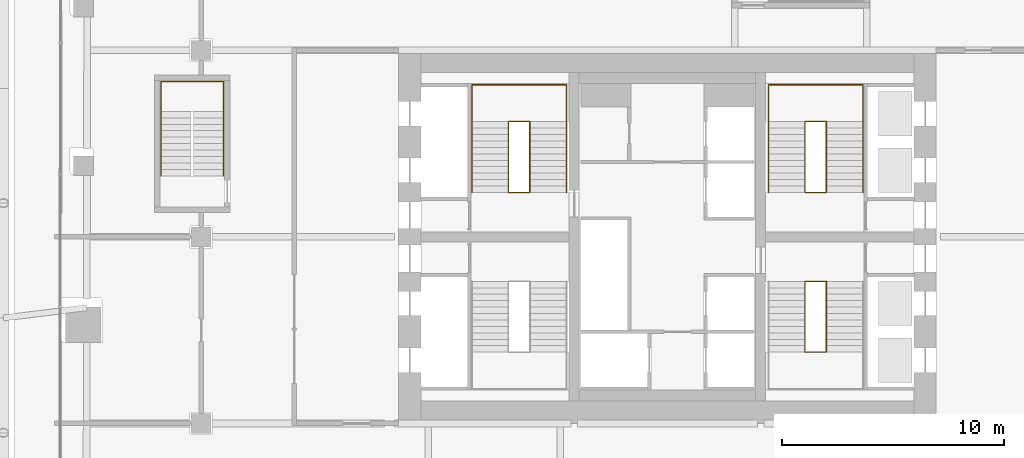
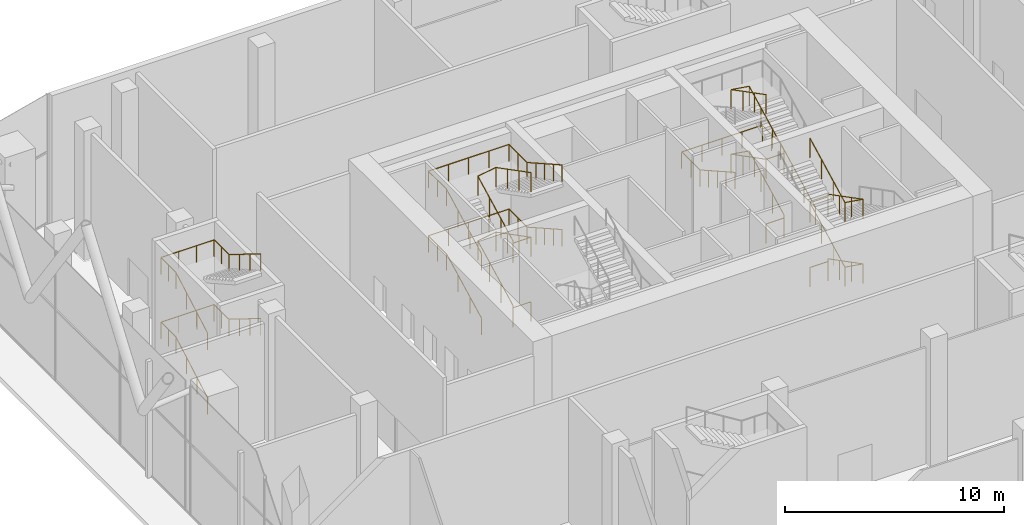
# One storey, part 32 of 34: 11 railings.
"""IFC4 building model written with IfcOpenShell, lengths in metres."""

from ifc_helpers import new_model, si_unit, direction, frame, origin, origin_2d, place, context, subcontext, project, spatial, circle, extrude, material, type_object, element, save


model = new_model("IFC4")

# Units and contexts
model_context = context("Model", 3, precision=1e-05, world=origin(), true_north=direction((0.0, 1.0)))
body_context = subcontext(model_context, "Body", "Model", "MODEL_VIEW")
ifc_project = project(units=[si_unit("LENGTHUNIT", "METRE"), si_unit("AREAUNIT", "SQUARE_METRE"), si_unit("VOLUMEUNIT", "CUBIC_METRE"), si_unit("PLANEANGLEUNIT", "RADIAN"), si_unit("MASSUNIT", "GRAM", prefix="KILO")], contexts=[model_context])

# Site, building, storey
site_placement = place(None, origin())
site = spatial("IfcSite", under=ifc_project, at=site_placement, CompositionType="ELEMENT")
building_placement = place(site_placement, origin())
building = spatial("IfcBuilding", under=site, at=building_placement, Name="Marenta Gate Hotel Tower", CompositionType="ELEMENT")
storey_placement = place(building_placement, frame((0.0, 0.0, 97.699951171875)))
storey = spatial("IfcBuildingStorey", under=building, at=storey_placement, Name="L21", CompositionType="ELEMENT", Elevation=97.699951171875)

# Railings
ifc_material_1 = material(Name="Stainless steel", Category="steel")
railing_type_1 = type_object("IfcRailingType", Name="Core stair handrail 950", PredefinedType="HANDRAIL", material=ifc_material_1)
railing_1_placement = place(storey_placement, frame((-8.800048828125, 10.39990234375, 0.150146484375)))
element("IfcRailing", 1, at=railing_1_placement, inside=storey, type_object=railing_type_1, Name="HR-950 L21-KR-ST2-1", PredefinedType="HANDRAIL", context=body_context, shape_type="SweptSolid", body=[
    extrude(circle(Radius=0.02392578125, at=origin_2d()), frame((0.0, 0.0, 0.92578125), z_axis=(0.0, 0.888239641807, 0.459380385653), x_axis=(-1.0, 0.0, 0.0)), (0.0, 0.0, 1.0), 3.591552734375),
    extrude(circle(Radius=0.02392578125, at=origin_2d()), frame((0.0, 3.190185546875, 2.57568359375), z_axis=(0.0, 1.0, 0.0), x_axis=(-1.0, 0.0, 0.0)), (0.0, 0.0, 1.0), 1.659912109375),
    extrude(circle(Radius=0.02392578125, at=origin_2d()), frame((0.0, 4.85009765625, 2.57568359375), z_axis=(1.0, 0.0, 0.0), x_axis=(0.0, 1.0, 0.0)), (0.0, 0.0, 1.0), 4.25),
    extrude(circle(Radius=0.02392578125, at=origin_2d()), frame((4.25, 4.85009765625, 2.57568359375), z_axis=(0.0, -1.0, 0.0), x_axis=(1.0, 0.0, 0.0)), (0.0, 0.0, 1.0), 1.659912109375),
    extrude(circle(Radius=0.02392578125, at=origin_2d()), frame((4.25, 3.190185546875, 2.57568359375), z_axis=(0.0, -0.870925075533, 0.491415824742), x_axis=(1.0, 0.0, 0.0)), (0.0, 0.0, 1.0), 3.6630859375),
    extrude(circle(Radius=0.02099609375, at=origin_2d()), origin(), (0.0, 0.0, 1.0), 0.90185546875),
    extrude(circle(Radius=0.02099609375, at=origin_2d()), frame((0.0, 1.0634765625, 0.550048828125)), (0.0, 0.0, 1.0), 0.90185546875),
    extrude(circle(Radius=0.02099609375, at=origin_2d()), frame((0.0, 2.126708984375, 1.099853515625)), (0.0, 0.0, 1.0), 0.90185546875),
    extrude(circle(Radius=0.02099609375, at=origin_2d()), frame((0.0, 3.190185546875, 1.64990234375)), (0.0, 0.0, 1.0), 0.90185546875),
    extrude(circle(Radius=0.02099609375, at=origin_2d()), frame((0.0, 4.02001953125, 1.64990234375)), (0.0, 0.0, 1.0), 0.90185546875),
    extrude(circle(Radius=0.02099609375, at=origin_2d()), frame((0.0, 4.85009765625, 1.64990234375)), (0.0, 0.0, 1.0), 0.90185546875),
    extrude(circle(Radius=0.02099609375, at=origin_2d()), frame((1.0625, 4.85009765625, 1.64990234375)), (0.0, 0.0, 1.0), 0.90185546875),
    extrude(circle(Radius=0.02099609375, at=origin_2d()), frame((2.125, 4.85009765625, 1.64990234375)), (0.0, 0.0, 1.0), 0.90185546875),
    extrude(circle(Radius=0.02099609375, at=origin_2d()), frame((3.1875, 4.85009765625, 1.64990234375)), (0.0, 0.0, 1.0), 0.90185546875),
    extrude(circle(Radius=0.02099609375, at=origin_2d()), frame((4.25, 4.85009765625, 1.64990234375)), (0.0, 0.0, 1.0), 0.90185546875),
    extrude(circle(Radius=0.02099609375, at=origin_2d()), frame((4.25, 4.02001953125, 1.64990234375)), (0.0, 0.0, 1.0), 0.90185546875),
    extrude(circle(Radius=0.02099609375, at=origin_2d()), frame((4.25, 3.190185546875, 1.64990234375)), (0.0, 0.0, 1.0), 0.90185546875),
    extrude(circle(Radius=0.02099609375, at=origin_2d()), frame((4.25, 2.392578125, 2.099853515625)), (0.0, 0.0, 1.0), 0.90185546875),
    extrude(circle(Radius=0.02099609375, at=origin_2d()), frame((4.25, 1.59521484375, 2.5498046875)), (0.0, 0.0, 1.0), 0.90185546875),
    extrude(circle(Radius=0.02099609375, at=origin_2d()), frame((4.25, 0.797607421875, 3.0)), (0.0, 0.0, 1.0), 0.90185546875),
    extrude(circle(Radius=0.02099609375, at=origin_2d()), frame((4.25, 0.0, 3.449951171875)), (0.0, 0.0, 1.0), 0.90185546875),
])
railing_2_placement = place(storey_placement, frame((-8.800048828125, 10.39990234375, 3.75)))
element("IfcRailing", 2, at=railing_2_placement, inside=storey, type_object=railing_type_1, Name="HR-950 L21-KR-ST2-3", PredefinedType="HANDRAIL", context=body_context, shape_type="SweptSolid", body=[
    extrude(circle(Radius=0.02392578125, at=origin_2d()), frame((0.0, 0.0, 0.92578125), z_axis=(0.0, 0.888211904222, 0.459434013977), x_axis=(-1.0, 0.0, 0.0)), (0.0, 0.0, 1.0), 3.591796875),
    extrude(circle(Radius=0.02392578125, at=origin_2d()), frame((0.0, 3.190185546875, 2.576171875), z_axis=(0.0, 1.0, 0.0), x_axis=(-1.0, 0.0, 0.0)), (0.0, 0.0, 1.0), 1.659912109375),
    extrude(circle(Radius=0.02392578125, at=origin_2d()), frame((0.0, 4.85009765625, 2.576171875), z_axis=(1.0, 0.0, 0.0), x_axis=(0.0, 1.0, 0.0)), (0.0, 0.0, 1.0), 4.25),
    extrude(circle(Radius=0.02392578125, at=origin_2d()), frame((4.25, 4.85009765625, 2.576171875), z_axis=(0.0, -1.0, 0.0), x_axis=(1.0, 0.0, 0.0)), (0.0, 0.0, 1.0), 1.659912109375),
    extrude(circle(Radius=0.02392578125, at=origin_2d()), frame((4.25, 3.190185546875, 2.576171875), z_axis=(0.0, -0.870953600603, 0.491365266982), x_axis=(1.0, 0.0, 0.0)), (0.0, 0.0, 1.0), 3.662841796875),
    extrude(circle(Radius=0.02099609375, at=origin_2d()), origin(), (0.0, 0.0, 1.0), 0.90185546875),
    extrude(circle(Radius=0.02099609375, at=origin_2d()), frame((0.0, 1.0634765625, 0.550048828125)), (0.0, 0.0, 1.0), 0.90185546875),
    extrude(circle(Radius=0.02099609375, at=origin_2d()), frame((0.0, 2.126708984375, 1.10009765625)), (0.0, 0.0, 1.0), 0.90185546875),
    extrude(circle(Radius=0.02099609375, at=origin_2d()), frame((0.0, 3.190185546875, 1.650146484375)), (0.0, 0.0, 1.0), 0.90185546875),
    extrude(circle(Radius=0.02099609375, at=origin_2d()), frame((0.0, 4.02001953125, 1.650146484375)), (0.0, 0.0, 1.0), 0.90185546875),
    extrude(circle(Radius=0.02099609375, at=origin_2d()), frame((0.0, 4.85009765625, 1.650146484375)), (0.0, 0.0, 1.0), 0.90185546875),
    extrude(circle(Radius=0.02099609375, at=origin_2d()), frame((1.0625, 4.85009765625, 1.650146484375)), (0.0, 0.0, 1.0), 0.90185546875),
    extrude(circle(Radius=0.02099609375, at=origin_2d()), frame((2.125, 4.85009765625, 1.650146484375)), (0.0, 0.0, 1.0), 0.90185546875),
    extrude(circle(Radius=0.02099609375, at=origin_2d()), frame((3.1875, 4.85009765625, 1.650146484375)), (0.0, 0.0, 1.0), 0.90185546875),
    extrude(circle(Radius=0.02099609375, at=origin_2d()), frame((4.25, 4.85009765625, 1.650146484375)), (0.0, 0.0, 1.0), 0.90185546875),
    extrude(circle(Radius=0.02099609375, at=origin_2d()), frame((4.25, 4.02001953125, 1.650146484375)), (0.0, 0.0, 1.0), 0.90185546875),
    extrude(circle(Radius=0.02099609375, at=origin_2d()), frame((4.25, 3.190185546875, 1.650146484375)), (0.0, 0.0, 1.0), 0.90185546875),
    extrude(circle(Radius=0.02099609375, at=origin_2d()), frame((4.25, 2.392578125, 2.10009765625)), (0.0, 0.0, 1.0), 0.90185546875),
    extrude(circle(Radius=0.02099609375, at=origin_2d()), frame((4.25, 1.59521484375, 2.550048828125)), (0.0, 0.0, 1.0), 0.90185546875),
    extrude(circle(Radius=0.02099609375, at=origin_2d()), frame((4.25, 0.797607421875, 3.0)), (0.0, 0.0, 1.0), 0.90185546875),
    extrude(circle(Radius=0.02099609375, at=origin_2d()), frame((4.25, 0.0, 3.449951171875)), (0.0, 0.0, 1.0), 0.90185546875),
])
railing_3_placement = place(storey_placement, frame((8.800048828125, 10.39990234375, 0.150146484375)))
element("IfcRailing", 3, at=railing_3_placement, inside=storey, type_object=railing_type_1, Name="HR-950 L21-KR-ST4-1", PredefinedType="HANDRAIL", context=body_context, shape_type="SweptSolid", body=[
    extrude(circle(Radius=0.02392578125, at=origin_2d()), frame((0.0, 0.0, 0.92578125), z_axis=(0.0, 0.888239641807, 0.459380385653), x_axis=(-1.0, 0.0, 0.0)), (0.0, 0.0, 1.0), 3.591552734375),
    extrude(circle(Radius=0.02392578125, at=origin_2d()), frame((0.0, 3.190185546875, 2.57568359375), z_axis=(0.0, 1.0, 0.0), x_axis=(-1.0, 0.0, 0.0)), (0.0, 0.0, 1.0), 1.659912109375),
    extrude(circle(Radius=0.02392578125, at=origin_2d()), frame((0.0, 4.85009765625, 2.57568359375), z_axis=(-1.0, 0.0, 0.0), x_axis=(0.0, -1.0, 0.0)), (0.0, 0.0, 1.0), 4.25),
    extrude(circle(Radius=0.02392578125, at=origin_2d()), frame((-4.25, 4.85009765625, 2.57568359375), z_axis=(0.0, -1.0, 0.0), x_axis=(1.0, 0.0, 0.0)), (0.0, 0.0, 1.0), 1.659912109375),
    extrude(circle(Radius=0.02392578125, at=origin_2d()), frame((-4.25, 3.190185546875, 2.57568359375), z_axis=(0.0, -0.870925075533, 0.491415824742), x_axis=(1.0, 0.0, 0.0)), (0.0, 0.0, 1.0), 3.6630859375),
    extrude(circle(Radius=0.02099609375, at=origin_2d()), origin(), (0.0, 0.0, 1.0), 0.90185546875),
    extrude(circle(Radius=0.02099609375, at=origin_2d()), frame((0.0, 1.0634765625, 0.550048828125)), (0.0, 0.0, 1.0), 0.90185546875),
    extrude(circle(Radius=0.02099609375, at=origin_2d()), frame((0.0, 2.126708984375, 1.099853515625)), (0.0, 0.0, 1.0), 0.90185546875),
    extrude(circle(Radius=0.02099609375, at=origin_2d()), frame((0.0, 3.190185546875, 1.64990234375)), (0.0, 0.0, 1.0), 0.90185546875),
    extrude(circle(Radius=0.02099609375, at=origin_2d()), frame((0.0, 4.02001953125, 1.64990234375)), (0.0, 0.0, 1.0), 0.90185546875),
    extrude(circle(Radius=0.02099609375, at=origin_2d()), frame((0.0, 4.85009765625, 1.64990234375)), (0.0, 0.0, 1.0), 0.90185546875),
    extrude(circle(Radius=0.02099609375, at=origin_2d()), frame((-1.0625, 4.85009765625, 1.64990234375)), (0.0, 0.0, 1.0), 0.90185546875),
    extrude(circle(Radius=0.02099609375, at=origin_2d()), frame((-2.125, 4.85009765625, 1.64990234375)), (0.0, 0.0, 1.0), 0.90185546875),
    extrude(circle(Radius=0.02099609375, at=origin_2d()), frame((-3.1875, 4.85009765625, 1.64990234375)), (0.0, 0.0, 1.0), 0.90185546875),
    extrude(circle(Radius=0.02099609375, at=origin_2d()), frame((-4.25, 4.85009765625, 1.64990234375)), (0.0, 0.0, 1.0), 0.90185546875),
    extrude(circle(Radius=0.02099609375, at=origin_2d()), frame((-4.25, 4.02001953125, 1.64990234375)), (0.0, 0.0, 1.0), 0.90185546875),
    extrude(circle(Radius=0.02099609375, at=origin_2d()), frame((-4.25, 3.190185546875, 1.64990234375)), (0.0, 0.0, 1.0), 0.90185546875),
    extrude(circle(Radius=0.02099609375, at=origin_2d()), frame((-4.25, 2.392578125, 2.099853515625)), (0.0, 0.0, 1.0), 0.90185546875),
    extrude(circle(Radius=0.02099609375, at=origin_2d()), frame((-4.25, 1.59521484375, 2.5498046875)), (0.0, 0.0, 1.0), 0.90185546875),
    extrude(circle(Radius=0.02099609375, at=origin_2d()), frame((-4.25, 0.797607421875, 3.0)), (0.0, 0.0, 1.0), 0.90185546875),
    extrude(circle(Radius=0.02099609375, at=origin_2d()), frame((-4.25, 0.0, 3.449951171875)), (0.0, 0.0, 1.0), 0.90185546875),
])
railing_4_placement = place(storey_placement, frame((-22.800048828125, 11.14990234375, 0.16357421875)))
element("IfcRailing", 4, at=railing_4_placement, inside=storey, type_object=railing_type_1, Name="HR-950 L21-RS-Z1-3-KR-1", PredefinedType="HANDRAIL", context=body_context, shape_type="SweptSolid", body=[
    extrude(circle(Radius=0.02392578125, at=origin_2d()), frame((0.0, 0.0, 0.92578125), z_axis=(0.0, 0.870914908162, 0.491433843708), x_axis=(-1.0, 0.0, 0.0)), (0.0, 0.0, 1.0), 3.330078125),
    extrude(circle(Radius=0.02392578125, at=origin_2d()), frame((0.0, 2.900146484375, 2.5625), z_axis=(0.0, 1.0, 0.0), x_axis=(-1.0, 0.0, 0.0)), (0.0, 0.0, 1.0), 1.349853515625),
    extrude(circle(Radius=0.02392578125, at=origin_2d()), frame((0.0, 4.25, 2.5625), z_axis=(1.0, 0.0, 0.0), x_axis=(0.0, 1.0, 0.0)), (0.0, 0.0, 1.0), 2.800048828125),
    extrude(circle(Radius=0.02392578125, at=origin_2d()), frame((2.800048828125, 4.25, 2.5625), z_axis=(0.0, -1.0, 0.0), x_axis=(1.0, 0.0, 0.0)), (0.0, 0.0, 1.0), 1.349853515625),
    extrude(circle(Radius=0.02392578125, at=origin_2d()), frame((2.800048828125, 2.900146484375, 2.5625), z_axis=(0.0, -0.849645691689, 0.527353959494), x_axis=(1.0, 0.0, 0.0)), (0.0, 0.0, 1.0), 3.413330078125),
    extrude(circle(Radius=0.02099609375, at=origin_2d()), origin(), (0.0, 0.0, 1.0), 0.90185546875),
    extrude(circle(Radius=0.02099609375, at=origin_2d()), frame((0.0, 0.966796875, 0.54541015625)), (0.0, 0.0, 1.0), 0.90185546875),
    extrude(circle(Radius=0.02099609375, at=origin_2d()), frame((0.0, 1.933349609375, 1.091064453125)), (0.0, 0.0, 1.0), 0.90185546875),
    extrude(circle(Radius=0.02099609375, at=origin_2d()), frame((0.0, 2.900146484375, 1.636474609375)), (0.0, 0.0, 1.0), 0.90185546875),
    extrude(circle(Radius=0.02099609375, at=origin_2d()), frame((0.0, 3.5751953125, 1.636474609375)), (0.0, 0.0, 1.0), 0.90185546875),
    extrude(circle(Radius=0.02099609375, at=origin_2d()), frame((0.0, 4.25, 1.636474609375)), (0.0, 0.0, 1.0), 0.90185546875),
    extrude(circle(Radius=0.02099609375, at=origin_2d()), frame((0.933349609375, 4.25, 1.636474609375)), (0.0, 0.0, 1.0), 0.90185546875),
    extrude(circle(Radius=0.02099609375, at=origin_2d()), frame((1.86669921875, 4.25, 1.636474609375)), (0.0, 0.0, 1.0), 0.90185546875),
    extrude(circle(Radius=0.02099609375, at=origin_2d()), frame((2.800048828125, 4.25, 1.636474609375)), (0.0, 0.0, 1.0), 0.90185546875),
    extrude(circle(Radius=0.02099609375, at=origin_2d()), frame((2.800048828125, 3.5751953125, 1.636474609375)), (0.0, 0.0, 1.0), 0.90185546875),
    extrude(circle(Radius=0.02099609375, at=origin_2d()), frame((2.800048828125, 2.900146484375, 1.636474609375)), (0.0, 0.0, 1.0), 0.90185546875),
    extrude(circle(Radius=0.02099609375, at=origin_2d()), frame((2.800048828125, 1.933349609375, 2.236572265625)), (0.0, 0.0, 1.0), 0.90185546875),
    extrude(circle(Radius=0.02099609375, at=origin_2d()), frame((2.800048828125, 0.966796875, 2.83642578125)), (0.0, 0.0, 1.0), 0.90185546875),
    extrude(circle(Radius=0.02099609375, at=origin_2d()), frame((2.800048828125, 0.0, 3.4365234375)), (0.0, 0.0, 1.0), 0.90185546875),
])
railing_5_placement = place(storey_placement, frame((-22.800048828125, 11.14990234375, 3.763671875)))
element("IfcRailing", 5, at=railing_5_placement, inside=storey, type_object=railing_type_1, Name="HR-950 L21-RS-Z1-3-KR-2", PredefinedType="HANDRAIL", context=body_context, shape_type="SweptSolid", body=[
    extrude(circle(Radius=0.02392578125, at=origin_2d()), frame((0.0, 0.0, 0.92578125), z_axis=(0.0, 0.870914908162, 0.491433843708), x_axis=(-1.0, 0.0, 0.0)), (0.0, 0.0, 1.0), 3.330078125),
    extrude(circle(Radius=0.02392578125, at=origin_2d()), frame((0.0, 2.900146484375, 2.5625), z_axis=(0.0, 1.0, 0.0), x_axis=(-1.0, 0.0, 0.0)), (0.0, 0.0, 1.0), 1.349853515625),
    extrude(circle(Radius=0.02392578125, at=origin_2d()), frame((0.0, 4.25, 2.5625), z_axis=(1.0, 0.0, 0.0), x_axis=(0.0, 1.0, 0.0)), (0.0, 0.0, 1.0), 2.800048828125),
    extrude(circle(Radius=0.02392578125, at=origin_2d()), frame((2.800048828125, 4.25, 2.5625), z_axis=(0.0, -1.0, 0.0), x_axis=(1.0, 0.0, 0.0)), (0.0, 0.0, 1.0), 1.349853515625),
    extrude(circle(Radius=0.02392578125, at=origin_2d()), frame((2.800048828125, 2.900146484375, 2.5625), z_axis=(0.0, -0.849677739116, 0.527302322819), x_axis=(1.0, 0.0, 0.0)), (0.0, 0.0, 1.0), 3.413330078125),
    extrude(circle(Radius=0.02099609375, at=origin_2d()), origin(), (0.0, 0.0, 1.0), 0.90185546875),
    extrude(circle(Radius=0.02099609375, at=origin_2d()), frame((0.0, 0.966796875, 0.54541015625)), (0.0, 0.0, 1.0), 0.90185546875),
    extrude(circle(Radius=0.02099609375, at=origin_2d()), frame((0.0, 1.933349609375, 1.091064453125)), (0.0, 0.0, 1.0), 0.90185546875),
    extrude(circle(Radius=0.02099609375, at=origin_2d()), frame((0.0, 2.900146484375, 1.636474609375)), (0.0, 0.0, 1.0), 0.90185546875),
    extrude(circle(Radius=0.02099609375, at=origin_2d()), frame((0.0, 3.5751953125, 1.636474609375)), (0.0, 0.0, 1.0), 0.90185546875),
    extrude(circle(Radius=0.02099609375, at=origin_2d()), frame((0.0, 4.25, 1.636474609375)), (0.0, 0.0, 1.0), 0.90185546875),
    extrude(circle(Radius=0.02099609375, at=origin_2d()), frame((0.933349609375, 4.25, 1.636474609375)), (0.0, 0.0, 1.0), 0.90185546875),
    extrude(circle(Radius=0.02099609375, at=origin_2d()), frame((1.86669921875, 4.25, 1.636474609375)), (0.0, 0.0, 1.0), 0.90185546875),
    extrude(circle(Radius=0.02099609375, at=origin_2d()), frame((2.800048828125, 4.25, 1.636474609375)), (0.0, 0.0, 1.0), 0.90185546875),
    extrude(circle(Radius=0.02099609375, at=origin_2d()), frame((2.800048828125, 3.5751953125, 1.636474609375)), (0.0, 0.0, 1.0), 0.90185546875),
    extrude(circle(Radius=0.02099609375, at=origin_2d()), frame((2.800048828125, 2.900146484375, 1.636474609375)), (0.0, 0.0, 1.0), 0.90185546875),
    extrude(circle(Radius=0.02099609375, at=origin_2d()), frame((2.800048828125, 1.933349609375, 2.236328125)), (0.0, 0.0, 1.0), 0.90185546875),
    extrude(circle(Radius=0.02099609375, at=origin_2d()), frame((2.800048828125, 0.966796875, 2.83642578125)), (0.0, 0.0, 1.0), 0.90185546875),
    extrude(circle(Radius=0.02099609375, at=origin_2d()), frame((2.800048828125, 0.0, 3.436279296875)), (0.0, 0.0, 1.0), 0.90185546875),
])
ifc_material_2 = material(Name="Stainless steel", Category="steel")
railing_type_2 = type_object("IfcRailingType", Name="Core stair well guard 1100", PredefinedType="GUARDRAIL", material=ifc_material_2)
railing_6_placement = place(storey_placement, frame((-6.199951171875, 10.39990234375, 0.0)))
element("IfcRailing", 6, at=railing_6_placement, inside=storey, type_object=railing_type_2, Name="GR-1100 L21-KR-ST2-2", PredefinedType="GUARDRAIL", context=body_context, shape_type="SweptSolid", body=[
    extrude(circle(Radius=0.02392578125, at=origin_2d()), frame((0.0, 0.0, 1.076171875), z_axis=(-1.0, 0.0, 0.0), x_axis=(0.0, -1.0, 0.0)), (0.0, 0.0, 1.0), 0.949951171875),
    extrude(circle(Radius=0.02392578125, at=origin_2d()), frame((-0.949951171875, 0.0, 1.076171875), z_axis=(0.0, 0.0, 1.0), x_axis=(1.0, 0.0, 0.0)), (0.0, 0.0, 1.0), 0.150146484375),
    extrude(circle(Radius=0.02392578125, at=origin_2d()), frame((-0.949951171875, 0.0, 1.22607421875), z_axis=(0.0, 0.888239641807, 0.459380385653), x_axis=(-1.0, 0.0, 0.0)), (0.0, 0.0, 1.0), 3.591552734375),
    extrude(circle(Radius=0.02392578125, at=origin_2d()), frame((-0.949951171875, 3.190185546875, 2.8759765625), z_axis=(0.987777369502, 0.0, 0.15587131968), x_axis=(0.0, 1.0, 0.0)), (0.0, 0.0, 1.0), 0.961669921875),
    extrude(circle(Radius=0.02392578125, at=origin_2d()), frame((0.0, 3.190185546875, 3.02587890625), z_axis=(0.0, -0.888211904222, 0.459434013977), x_axis=(1.0, 0.0, 0.0)), (0.0, 0.0, 1.0), 3.591796875),
    extrude(circle(Radius=0.02099609375, at=origin_2d()), origin(), (0.0, 0.0, 1.0), 1.052001953125),
    extrude(circle(Radius=0.02099609375, at=origin_2d()), frame((-0.949951171875, 0.0, 0.0)), (0.0, 0.0, 1.0), 1.052001953125),
    extrude(circle(Radius=0.02099609375, at=origin_2d()), frame((-0.949951171875, 0.0, 0.150146484375)), (0.0, 0.0, 1.0), 1.052001953125),
    extrude(circle(Radius=0.02099609375, at=origin_2d()), frame((-0.949951171875, 1.0634765625, 0.7001953125)), (0.0, 0.0, 1.0), 1.052001953125),
    extrude(circle(Radius=0.02099609375, at=origin_2d()), frame((-0.949951171875, 2.126708984375, 1.25)), (0.0, 0.0, 1.0), 1.052001953125),
    extrude(circle(Radius=0.02099609375, at=origin_2d()), frame((-0.949951171875, 3.190185546875, 1.800048828125)), (0.0, 0.0, 1.0), 1.052001953125),
    extrude(circle(Radius=0.02099609375, at=origin_2d()), frame((0.0, 3.190185546875, 1.949951171875)), (0.0, 0.0, 1.0), 1.052001953125),
    extrude(circle(Radius=0.02099609375, at=origin_2d()), frame((0.0, 2.126708984375, 2.5)), (0.0, 0.0, 1.0), 1.052001953125),
    extrude(circle(Radius=0.02099609375, at=origin_2d()), frame((0.0, 1.0634765625, 3.050048828125)), (0.0, 0.0, 1.0), 1.052001953125),
    extrude(circle(Radius=0.02099609375, at=origin_2d()), frame((0.0, 0.0, 3.60009765625)), (0.0, 0.0, 1.0), 1.052001953125),
])
railing_7_placement = place(storey_placement, frame((-6.199951171875, 10.39990234375, 3.60009765625)))
element("IfcRailing", 7, at=railing_7_placement, inside=storey, type_object=railing_type_2, Name="GR-1100 L21-KR-ST2-4", PredefinedType="GUARDRAIL", context=body_context, shape_type="SweptSolid", body=[
    extrude(circle(Radius=0.02392578125, at=origin_2d()), frame((0.0, 0.0, 1.076171875), z_axis=(-1.0, 0.0, 0.0), x_axis=(0.0, -1.0, 0.0)), (0.0, 0.0, 1.0), 0.949951171875),
    extrude(circle(Radius=0.02392578125, at=origin_2d()), frame((-0.949951171875, 0.0, 1.076171875), z_axis=(0.0, 0.0, 1.0), x_axis=(1.0, 0.0, 0.0)), (0.0, 0.0, 1.0), 0.14990234375),
    extrude(circle(Radius=0.02392578125, at=origin_2d()), frame((-0.949951171875, 0.0, 1.22607421875), z_axis=(0.0, 0.888211904222, 0.459434013977), x_axis=(-1.0, 0.0, 0.0)), (0.0, 0.0, 1.0), 3.591796875),
    extrude(circle(Radius=0.02392578125, at=origin_2d()), frame((-0.949951171875, 3.190185546875, 2.8759765625), z_axis=(0.987777369502, 0.0, 0.15587131968), x_axis=(0.0, 1.0, 0.0)), (0.0, 0.0, 1.0), 0.961669921875),
    extrude(circle(Radius=0.02392578125, at=origin_2d()), frame((0.0, 3.190185546875, 3.02587890625), z_axis=(0.0, -0.888239641807, 0.459380385653), x_axis=(1.0, 0.0, 0.0)), (0.0, 0.0, 1.0), 3.591552734375),
    extrude(circle(Radius=0.02099609375, at=origin_2d()), origin(), (0.0, 0.0, 1.0), 1.052001953125),
    extrude(circle(Radius=0.02099609375, at=origin_2d()), frame((-0.949951171875, 0.0, 0.0)), (0.0, 0.0, 1.0), 1.052001953125),
    extrude(circle(Radius=0.02099609375, at=origin_2d()), frame((-0.949951171875, 0.0, 0.14990234375)), (0.0, 0.0, 1.0), 1.052001953125),
    extrude(circle(Radius=0.02099609375, at=origin_2d()), frame((-0.949951171875, 1.0634765625, 0.699951171875)), (0.0, 0.0, 1.0), 1.052001953125),
    extrude(circle(Radius=0.02099609375, at=origin_2d()), frame((-0.949951171875, 2.126708984375, 1.25)), (0.0, 0.0, 1.0), 1.052001953125),
    extrude(circle(Radius=0.02099609375, at=origin_2d()), frame((-0.949951171875, 3.190185546875, 1.800048828125)), (0.0, 0.0, 1.0), 1.052001953125),
    extrude(circle(Radius=0.02099609375, at=origin_2d()), frame((0.0, 3.190185546875, 1.949951171875)), (0.0, 0.0, 1.0), 1.052001953125),
    extrude(circle(Radius=0.02099609375, at=origin_2d()), frame((0.0, 2.126708984375, 2.5)), (0.0, 0.0, 1.0), 1.052001953125),
    extrude(circle(Radius=0.02099609375, at=origin_2d()), frame((0.0, 1.0634765625, 3.0498046875)), (0.0, 0.0, 1.0), 1.052001953125),
    extrude(circle(Radius=0.02099609375, at=origin_2d()), frame((0.0, 0.0, 3.599853515625)), (0.0, 0.0, 1.0), 1.052001953125),
])
railing_8_placement = place(storey_placement, frame((6.199951171875, 6.39990234375, 0.0)))
element("IfcRailing", 8, at=railing_8_placement, inside=storey, type_object=railing_type_2, Name="GR-1100 L21-KR-ST3-2", PredefinedType="GUARDRAIL", context=body_context, shape_type="SweptSolid", body=[
    extrude(circle(Radius=0.02392578125, at=origin_2d()), frame((0.0, 0.0, 1.076171875), z_axis=(1.0, 0.0, 0.0), x_axis=(0.0, 1.0, 0.0)), (0.0, 0.0, 1.0), 0.949951171875),
    extrude(circle(Radius=0.02392578125, at=origin_2d()), frame((0.949951171875, 0.0, 1.076171875), z_axis=(0.0, 0.0, 1.0), x_axis=(1.0, 0.0, 0.0)), (0.0, 0.0, 1.0), 0.150146484375),
    extrude(circle(Radius=0.02392578125, at=origin_2d()), frame((0.949951171875, 0.0, 1.22607421875), z_axis=(0.0, -0.888225295554, 0.459408123936), x_axis=(1.0, 0.0, 0.0)), (0.0, 0.0, 1.0), 3.59130859375),
    extrude(circle(Radius=0.02392578125, at=origin_2d()), frame((0.949951171875, -3.18994140625, 2.8759765625), z_axis=(-0.987777369502, 0.0, 0.15587131968), x_axis=(0.0, -1.0, 0.0)), (0.0, 0.0, 1.0), 0.961669921875),
    extrude(circle(Radius=0.02392578125, at=origin_2d()), frame((0.0, -3.18994140625, 3.02587890625), z_axis=(0.0, 0.888197555067, 0.459461753765), x_axis=(-1.0, 0.0, 0.0)), (0.0, 0.0, 1.0), 3.591552734375),
    extrude(circle(Radius=0.02099609375, at=origin_2d()), origin(), (0.0, 0.0, 1.0), 1.052001953125),
    extrude(circle(Radius=0.02099609375, at=origin_2d()), frame((0.949951171875, 0.0, 0.0)), (0.0, 0.0, 1.0), 1.052001953125),
    extrude(circle(Radius=0.02099609375, at=origin_2d()), frame((0.949951171875, 0.0, 0.150146484375)), (0.0, 0.0, 1.0), 1.052001953125),
    extrude(circle(Radius=0.02099609375, at=origin_2d()), frame((0.949951171875, -1.063232421875, 0.7001953125)), (0.0, 0.0, 1.0), 1.052001953125),
    extrude(circle(Radius=0.02099609375, at=origin_2d()), frame((0.949951171875, -2.126708984375, 1.25)), (0.0, 0.0, 1.0), 1.052001953125),
    extrude(circle(Radius=0.02099609375, at=origin_2d()), frame((0.949951171875, -3.18994140625, 1.800048828125)), (0.0, 0.0, 1.0), 1.052001953125),
    extrude(circle(Radius=0.02099609375, at=origin_2d()), frame((0.0, -3.18994140625, 1.949951171875)), (0.0, 0.0, 1.0), 1.052001953125),
    extrude(circle(Radius=0.02099609375, at=origin_2d()), frame((0.0, -2.126708984375, 2.5)), (0.0, 0.0, 1.0), 1.052001953125),
    extrude(circle(Radius=0.02099609375, at=origin_2d()), frame((0.0, -1.063232421875, 3.050048828125)), (0.0, 0.0, 1.0), 1.052001953125),
    extrude(circle(Radius=0.02099609375, at=origin_2d()), frame((0.0, 0.0, 3.60009765625)), (0.0, 0.0, 1.0), 1.052001953125),
])
railing_9_placement = place(storey_placement, frame((6.199951171875, 6.39990234375, 3.60009765625)))
element("IfcRailing", 9, at=railing_9_placement, inside=storey, type_object=railing_type_2, Name="GR-1100 L21-KR-ST3-4", PredefinedType="GUARDRAIL", context=body_context, shape_type="SweptSolid", body=[
    extrude(circle(Radius=0.02392578125, at=origin_2d()), frame((0.0, 0.0, 1.076171875), z_axis=(1.0, 0.0, 0.0), x_axis=(0.0, 1.0, 0.0)), (0.0, 0.0, 1.0), 0.949951171875),
    extrude(circle(Radius=0.02392578125, at=origin_2d()), frame((0.949951171875, 0.0, 1.076171875), z_axis=(0.0, 0.0, 1.0), x_axis=(1.0, 0.0, 0.0)), (0.0, 0.0, 1.0), 0.14990234375),
    extrude(circle(Radius=0.02392578125, at=origin_2d()), frame((0.949951171875, 0.0, 1.22607421875), z_axis=(0.0, -0.888197555067, 0.459461753765), x_axis=(1.0, 0.0, 0.0)), (0.0, 0.0, 1.0), 3.591552734375),
    extrude(circle(Radius=0.02392578125, at=origin_2d()), frame((0.949951171875, -3.18994140625, 2.8759765625), z_axis=(-0.987777369502, 0.0, 0.15587131968), x_axis=(0.0, -1.0, 0.0)), (0.0, 0.0, 1.0), 0.961669921875),
    extrude(circle(Radius=0.02392578125, at=origin_2d()), frame((0.0, -3.18994140625, 3.02587890625), z_axis=(0.0, 0.888225295554, 0.459408123936), x_axis=(-1.0, 0.0, 0.0)), (0.0, 0.0, 1.0), 3.59130859375),
    extrude(circle(Radius=0.02099609375, at=origin_2d()), origin(), (0.0, 0.0, 1.0), 1.052001953125),
    extrude(circle(Radius=0.02099609375, at=origin_2d()), frame((0.949951171875, 0.0, 0.0)), (0.0, 0.0, 1.0), 1.052001953125),
    extrude(circle(Radius=0.02099609375, at=origin_2d()), frame((0.949951171875, 0.0, 0.14990234375)), (0.0, 0.0, 1.0), 1.052001953125),
    extrude(circle(Radius=0.02099609375, at=origin_2d()), frame((0.949951171875, -1.063232421875, 0.699951171875)), (0.0, 0.0, 1.0), 1.052001953125),
    extrude(circle(Radius=0.02099609375, at=origin_2d()), frame((0.949951171875, -2.126708984375, 1.25)), (0.0, 0.0, 1.0), 1.052001953125),
    extrude(circle(Radius=0.02099609375, at=origin_2d()), frame((0.949951171875, -3.18994140625, 1.800048828125)), (0.0, 0.0, 1.0), 1.052001953125),
    extrude(circle(Radius=0.02099609375, at=origin_2d()), frame((0.0, -3.18994140625, 1.949951171875)), (0.0, 0.0, 1.0), 1.052001953125),
    extrude(circle(Radius=0.02099609375, at=origin_2d()), frame((0.0, -2.126708984375, 2.5)), (0.0, 0.0, 1.0), 1.052001953125),
    extrude(circle(Radius=0.02099609375, at=origin_2d()), frame((0.0, -1.063232421875, 3.0498046875)), (0.0, 0.0, 1.0), 1.052001953125),
    extrude(circle(Radius=0.02099609375, at=origin_2d()), frame((0.0, 0.0, 3.599853515625)), (0.0, 0.0, 1.0), 1.052001953125),
])
railing_10_placement = place(storey_placement, frame((6.199951171875, 10.39990234375, 0.0)))
element("IfcRailing", 10, at=railing_10_placement, inside=storey, type_object=railing_type_2, Name="GR-1100 L21-KR-ST4-2", PredefinedType="GUARDRAIL", context=body_context, shape_type="SweptSolid", body=[
    extrude(circle(Radius=0.02392578125, at=origin_2d()), frame((0.0, 0.0, 1.076171875), z_axis=(1.0, 0.0, 0.0), x_axis=(0.0, 1.0, 0.0)), (0.0, 0.0, 1.0), 0.949951171875),
    extrude(circle(Radius=0.02392578125, at=origin_2d()), frame((0.949951171875, 0.0, 1.076171875), z_axis=(0.0, 0.0, 1.0), x_axis=(1.0, 0.0, 0.0)), (0.0, 0.0, 1.0), 0.150146484375),
    extrude(circle(Radius=0.02392578125, at=origin_2d()), frame((0.949951171875, 0.0, 1.22607421875), z_axis=(0.0, 0.888239641807, 0.459380385653), x_axis=(-1.0, 0.0, 0.0)), (0.0, 0.0, 1.0), 3.591552734375),
    extrude(circle(Radius=0.02392578125, at=origin_2d()), frame((0.949951171875, 3.190185546875, 2.8759765625), z_axis=(-0.987777369502, 0.0, 0.15587131968), x_axis=(0.0, -1.0, 0.0)), (0.0, 0.0, 1.0), 0.961669921875),
    extrude(circle(Radius=0.02392578125, at=origin_2d()), frame((0.0, 3.190185546875, 3.02587890625), z_axis=(0.0, -0.888211904222, 0.459434013977), x_axis=(1.0, 0.0, 0.0)), (0.0, 0.0, 1.0), 3.591796875),
    extrude(circle(Radius=0.02099609375, at=origin_2d()), origin(), (0.0, 0.0, 1.0), 1.052001953125),
    extrude(circle(Radius=0.02099609375, at=origin_2d()), frame((0.949951171875, 0.0, 0.0)), (0.0, 0.0, 1.0), 1.052001953125),
    extrude(circle(Radius=0.02099609375, at=origin_2d()), frame((0.949951171875, 0.0, 0.150146484375)), (0.0, 0.0, 1.0), 1.052001953125),
    extrude(circle(Radius=0.02099609375, at=origin_2d()), frame((0.949951171875, 1.0634765625, 0.7001953125)), (0.0, 0.0, 1.0), 1.052001953125),
    extrude(circle(Radius=0.02099609375, at=origin_2d()), frame((0.949951171875, 2.126708984375, 1.25)), (0.0, 0.0, 1.0), 1.052001953125),
    extrude(circle(Radius=0.02099609375, at=origin_2d()), frame((0.949951171875, 3.190185546875, 1.800048828125)), (0.0, 0.0, 1.0), 1.052001953125),
    extrude(circle(Radius=0.02099609375, at=origin_2d()), frame((0.0, 3.190185546875, 1.949951171875)), (0.0, 0.0, 1.0), 1.052001953125),
    extrude(circle(Radius=0.02099609375, at=origin_2d()), frame((0.0, 2.126708984375, 2.5)), (0.0, 0.0, 1.0), 1.052001953125),
    extrude(circle(Radius=0.02099609375, at=origin_2d()), frame((0.0, 1.0634765625, 3.050048828125)), (0.0, 0.0, 1.0), 1.052001953125),
    extrude(circle(Radius=0.02099609375, at=origin_2d()), frame((0.0, 0.0, 3.60009765625)), (0.0, 0.0, 1.0), 1.052001953125),
])
railing_11_placement = place(storey_placement, frame((6.199951171875, 10.39990234375, 3.60009765625)))
element("IfcRailing", 11, at=railing_11_placement, inside=storey, type_object=railing_type_2, Name="GR-1100 L21-KR-ST4-4", PredefinedType="GUARDRAIL", context=body_context, shape_type="SweptSolid", body=[
    extrude(circle(Radius=0.02392578125, at=origin_2d()), frame((0.0, 0.0, 1.076171875), z_axis=(1.0, 0.0, 0.0), x_axis=(0.0, 1.0, 0.0)), (0.0, 0.0, 1.0), 0.949951171875),
    extrude(circle(Radius=0.02392578125, at=origin_2d()), frame((0.949951171875, 0.0, 1.076171875), z_axis=(0.0, 0.0, 1.0), x_axis=(1.0, 0.0, 0.0)), (0.0, 0.0, 1.0), 0.14990234375),
    extrude(circle(Radius=0.02392578125, at=origin_2d()), frame((0.949951171875, 0.0, 1.22607421875), z_axis=(0.0, 0.888211904222, 0.459434013977), x_axis=(-1.0, 0.0, 0.0)), (0.0, 0.0, 1.0), 3.591796875),
    extrude(circle(Radius=0.02392578125, at=origin_2d()), frame((0.949951171875, 3.190185546875, 2.8759765625), z_axis=(-0.987777369502, 0.0, 0.15587131968), x_axis=(0.0, -1.0, 0.0)), (0.0, 0.0, 1.0), 0.961669921875),
    extrude(circle(Radius=0.02392578125, at=origin_2d()), frame((0.0, 3.190185546875, 3.02587890625), z_axis=(0.0, -0.888239641807, 0.459380385653), x_axis=(1.0, 0.0, 0.0)), (0.0, 0.0, 1.0), 3.591552734375),
    extrude(circle(Radius=0.02099609375, at=origin_2d()), origin(), (0.0, 0.0, 1.0), 1.052001953125),
    extrude(circle(Radius=0.02099609375, at=origin_2d()), frame((0.949951171875, 0.0, 0.0)), (0.0, 0.0, 1.0), 1.052001953125),
    extrude(circle(Radius=0.02099609375, at=origin_2d()), frame((0.949951171875, 0.0, 0.14990234375)), (0.0, 0.0, 1.0), 1.052001953125),
    extrude(circle(Radius=0.02099609375, at=origin_2d()), frame((0.949951171875, 1.0634765625, 0.699951171875)), (0.0, 0.0, 1.0), 1.052001953125),
    extrude(circle(Radius=0.02099609375, at=origin_2d()), frame((0.949951171875, 2.126708984375, 1.25)), (0.0, 0.0, 1.0), 1.052001953125),
    extrude(circle(Radius=0.02099609375, at=origin_2d()), frame((0.949951171875, 3.190185546875, 1.800048828125)), (0.0, 0.0, 1.0), 1.052001953125),
    extrude(circle(Radius=0.02099609375, at=origin_2d()), frame((0.0, 3.190185546875, 1.949951171875)), (0.0, 0.0, 1.0), 1.052001953125),
    extrude(circle(Radius=0.02099609375, at=origin_2d()), frame((0.0, 2.126708984375, 2.5)), (0.0, 0.0, 1.0), 1.052001953125),
    extrude(circle(Radius=0.02099609375, at=origin_2d()), frame((0.0, 1.0634765625, 3.0498046875)), (0.0, 0.0, 1.0), 1.052001953125),
    extrude(circle(Radius=0.02099609375, at=origin_2d()), frame((0.0, 0.0, 3.599853515625)), (0.0, 0.0, 1.0), 1.052001953125),
])

save(model, "model.ifc")
